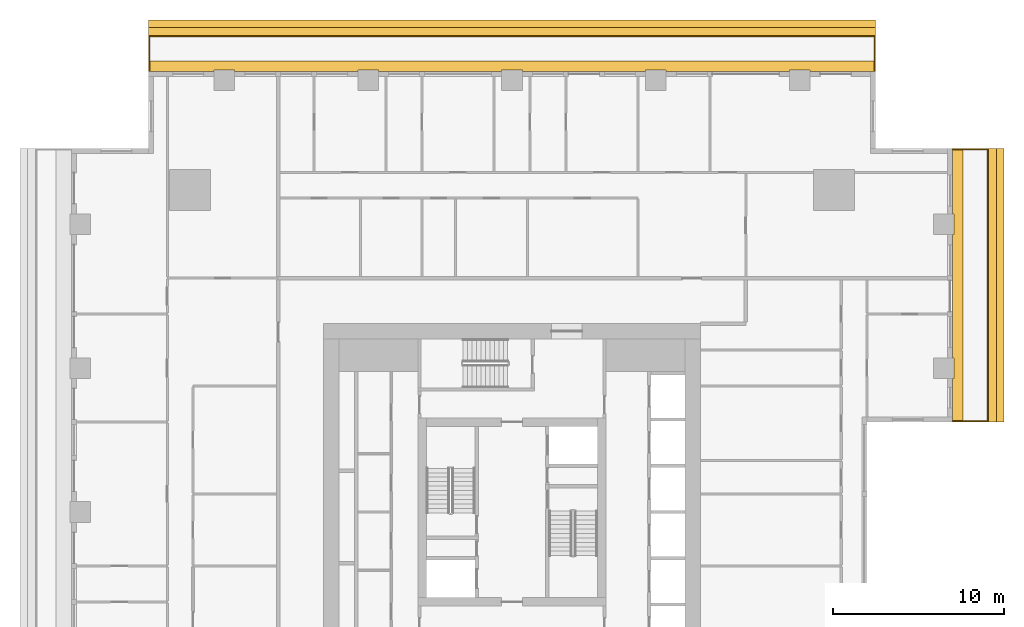
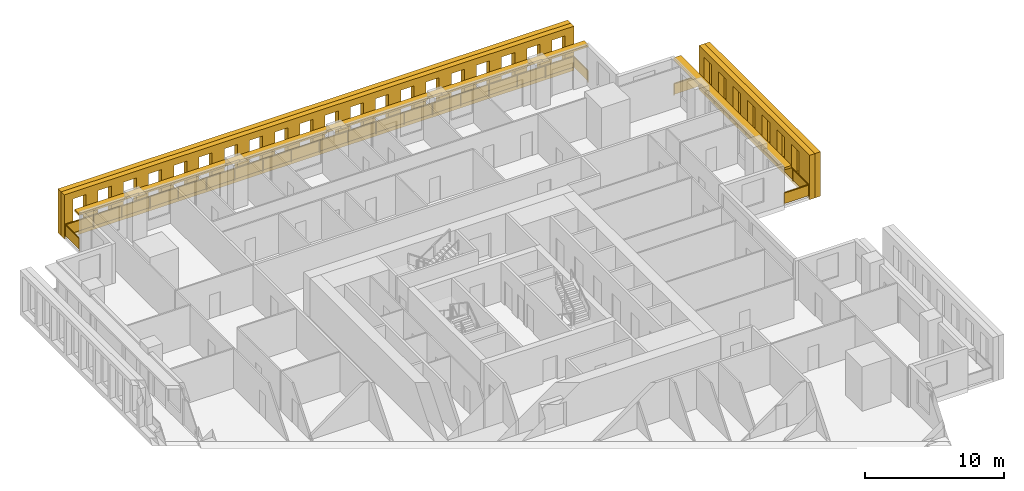
# One storey, part 15 of 15: 6 shading devices, 2 railings.
"""IFC4 building model written with IfcOpenShell, lengths in metres."""

from ifc_helpers import new_model, si_unit, direction, frame, origin, origin_2d, place, context, subcontext, project, spatial, polyline, rectangle, outline, extrude, material, layer, layer_set, type_object, element, save


model = new_model("IFC4")

# Units and contexts
model_context = context("Model", 3, precision=1e-05, world=origin(), true_north=direction((0.0, 1.0)))
body_context = subcontext(model_context, "Body", "Model", "MODEL_VIEW")
ifc_project = project(units=[si_unit("LENGTHUNIT", "METRE"), si_unit("AREAUNIT", "SQUARE_METRE"), si_unit("VOLUMEUNIT", "CUBIC_METRE"), si_unit("PLANEANGLEUNIT", "RADIAN"), si_unit("MASSUNIT", "GRAM", prefix="KILO")], contexts=[model_context])

# Site, building, storey
site_placement = place(None, origin())
site = spatial("IfcSite", under=ifc_project, at=site_placement, CompositionType="ELEMENT")
building_placement = place(site_placement, origin())
building = spatial("IfcBuilding", under=site, at=building_placement, Name="Khepri Terraces", CompositionType="ELEMENT")
storey_placement = place(building_placement, frame((0.0, 0.0, 200.10009765625)))
storey = spatial("IfcBuildingStorey", under=building, at=storey_placement, Name="L47", CompositionType="ELEMENT", Elevation=200.10009765625)

# Railings
ifc_material_1 = material(Name="Stainless steel grade 316", Category="steel")
railing_type = type_object("IfcRailingType", Name="GRD-BAL-1100", PredefinedType="GUARDRAIL", material=ifc_material_1)
railing_1_placement = place(storey_placement, frame((25.719970703125, 5.300048828125, 0.0)))
element("IfcRailing", 1, at=railing_1_placement, inside=storey, type_object=railing_type, Name="Balcony guard L47 E", PredefinedType="GUARDRAIL", context=body_context, shape_type="SweptSolid", body=[
    extrude(rectangle(XDim=0.050048828125, YDim=0.06005859375, at=origin_2d()), frame((0.0, 0.0, 1.070068359375), z_axis=(1.0, 0.0, 0.0), x_axis=(0.0, 1.0, 0.0)), (0.0, 0.0, 1.0), 2.050048828125),
    extrude(rectangle(XDim=2.0, YDim=0.011962890625, at=origin_2d()), frame((1.02490234375, 0.0, 0.10009765625), z_axis=(0.0, 0.0, 1.0), x_axis=(1.0, 0.0, 0.0)), (0.0, 0.0, 1.0), 0.93994140625),
    extrude(rectangle(XDim=0.050048828125, YDim=0.06005859375, at=origin_2d()), frame((2.050048828125, 0.0, 1.070068359375), z_axis=(0.0, 1.0, 0.0), x_axis=(-1.0, 0.0, 0.0)), (0.0, 0.0, 1.0), 15.869873046875),
    extrude(rectangle(XDim=2.217041015625, YDim=0.011962890625, at=origin_2d()), frame((2.050048828125, 1.133544921875, 0.10009765625), z_axis=(0.0, 0.0, 1.0), x_axis=(0.0, 1.0, 0.0)), (0.0, 0.0, 1.0), 0.93994140625),
    extrude(rectangle(XDim=2.217041015625, YDim=0.011962890625, at=origin_2d()), frame((2.050048828125, 3.400634765625, 0.10009765625), z_axis=(0.0, 0.0, 1.0), x_axis=(0.0, 1.0, 0.0)), (0.0, 0.0, 1.0), 0.93994140625),
    extrude(rectangle(XDim=2.217041015625, YDim=0.011962890625, at=origin_2d()), frame((2.050048828125, 5.667724609375, 0.10009765625), z_axis=(0.0, 0.0, 1.0), x_axis=(0.0, 1.0, 0.0)), (0.0, 0.0, 1.0), 0.93994140625),
    extrude(rectangle(XDim=2.217041015625, YDim=0.011962890625, at=origin_2d()), frame((2.050048828125, 7.93505859375, 0.10009765625), z_axis=(0.0, 0.0, 1.0), x_axis=(0.0, 1.0, 0.0)), (0.0, 0.0, 1.0), 0.93994140625),
    extrude(rectangle(XDim=2.217041015625, YDim=0.011962890625, at=origin_2d()), frame((2.050048828125, 10.2021484375, 0.10009765625), z_axis=(0.0, 0.0, 1.0), x_axis=(0.0, 1.0, 0.0)), (0.0, 0.0, 1.0), 0.93994140625),
    extrude(rectangle(XDim=2.217041015625, YDim=0.011962890625, at=origin_2d()), frame((2.050048828125, 12.46923828125, 0.10009765625), z_axis=(0.0, 0.0, 1.0), x_axis=(0.0, 1.0, 0.0)), (0.0, 0.0, 1.0), 0.93994140625),
    extrude(rectangle(XDim=2.217041015625, YDim=0.011962890625, at=origin_2d()), frame((2.050048828125, 14.736328125, 0.10009765625), z_axis=(0.0, 0.0, 1.0), x_axis=(0.0, 1.0, 0.0)), (0.0, 0.0, 1.0), 0.93994140625),
    extrude(rectangle(XDim=0.050048828125, YDim=0.06005859375, at=origin_2d()), frame((2.050048828125, 15.869873046875, 1.070068359375), z_axis=(-1.0, 0.0, 0.0), x_axis=(0.0, -1.0, 0.0)), (0.0, 0.0, 1.0), 2.050048828125),
    extrude(rectangle(XDim=2.0, YDim=0.011962890625, at=origin_2d()), frame((1.02490234375, 15.869873046875, 0.10009765625), z_axis=(0.0, 0.0, 1.0), x_axis=(-1.0, 0.0, 0.0)), (0.0, 0.0, 1.0), 0.93994140625),
    extrude(rectangle(XDim=0.050048828125, YDim=0.050048828125, at=origin_2d()), origin(), (0.0, 0.0, 1.0), 1.0400390625),
    extrude(rectangle(XDim=0.050048828125, YDim=0.050048828125, at=origin_2d()), frame((2.050048828125, 0.0, 0.0)), (0.0, 0.0, 1.0), 1.0400390625),
    extrude(rectangle(XDim=0.050048828125, YDim=0.050048828125, at=origin_2d()), frame((2.050048828125, 2.26708984375, 0.0)), (0.0, 0.0, 1.0), 1.0400390625),
    extrude(rectangle(XDim=0.050048828125, YDim=0.050048828125, at=origin_2d()), frame((2.050048828125, 4.5341796875, 0.0)), (0.0, 0.0, 1.0), 1.0400390625),
    extrude(rectangle(XDim=0.050048828125, YDim=0.050048828125, at=origin_2d()), frame((2.050048828125, 6.80126953125, 0.0)), (0.0, 0.0, 1.0), 1.0400390625),
    extrude(rectangle(XDim=0.050048828125, YDim=0.050048828125, at=origin_2d()), frame((2.050048828125, 9.068603515625, 0.0)), (0.0, 0.0, 1.0), 1.0400390625),
    extrude(rectangle(XDim=0.050048828125, YDim=0.050048828125, at=origin_2d()), frame((2.050048828125, 11.335693359375, 0.0)), (0.0, 0.0, 1.0), 1.0400390625),
    extrude(rectangle(XDim=0.050048828125, YDim=0.050048828125, at=origin_2d()), frame((2.050048828125, 13.602783203125, 0.0)), (0.0, 0.0, 1.0), 1.0400390625),
    extrude(rectangle(XDim=0.050048828125, YDim=0.050048828125, at=origin_2d()), frame((2.050048828125, 15.869873046875, 0.0)), (0.0, 0.0, 1.0), 1.0400390625),
    extrude(rectangle(XDim=0.050048828125, YDim=0.050048828125, at=origin_2d()), frame((0.0, 15.869873046875, 0.0)), (0.0, 0.0, 1.0), 1.0400390625),
])
railing_2_placement = place(storey_placement, frame((21.169921875, 25.719970703125, 0.0)))
element("IfcRailing", 2, at=railing_2_placement, inside=storey, type_object=railing_type, Name="Balcony guard L47 N", PredefinedType="GUARDRAIL", context=body_context, shape_type="SweptSolid", body=[
    extrude(rectangle(XDim=0.050048828125, YDim=0.06005859375, at=origin_2d()), frame((0.0, 0.0, 1.070068359375), z_axis=(0.0, 1.0, 0.0), x_axis=(-1.0, 0.0, 0.0)), (0.0, 0.0, 1.0), 2.050048828125),
    extrude(rectangle(XDim=2.0, YDim=0.011962890625, at=origin_2d()), frame((0.0, 1.02490234375, 0.10009765625), z_axis=(0.0, 0.0, 1.0), x_axis=(0.0, 1.0, 0.0)), (0.0, 0.0, 1.0), 0.93994140625),
    extrude(rectangle(XDim=0.050048828125, YDim=0.06005859375, at=origin_2d()), frame((0.0, 2.050048828125, 1.070068359375), z_axis=(-1.0, 0.0, 0.0), x_axis=(0.0, -1.0, 0.0)), (0.0, 0.0, 1.0), 42.33984375),
    extrude(rectangle(XDim=2.30224609375, YDim=0.011962890625, at=origin_2d()), frame((-1.176025390625, 2.050048828125, 0.10009765625), z_axis=(0.0, 0.0, 1.0), x_axis=(-1.0, 0.0, 0.0)), (0.0, 0.0, 1.0), 0.93994140625),
    extrude(rectangle(XDim=2.30224609375, YDim=0.011962890625, at=origin_2d()), frame((-3.5283203125, 2.050048828125, 0.10009765625), z_axis=(0.0, 0.0, 1.0), x_axis=(-1.0, 0.0, 0.0)), (0.0, 0.0, 1.0), 0.93994140625),
    extrude(rectangle(XDim=2.30224609375, YDim=0.011962890625, at=origin_2d()), frame((-5.880615234375, 2.050048828125, 0.10009765625), z_axis=(0.0, 0.0, 1.0), x_axis=(-1.0, 0.0, 0.0)), (0.0, 0.0, 1.0), 0.93994140625),
    extrude(rectangle(XDim=2.30224609375, YDim=0.011962890625, at=origin_2d()), frame((-8.232666015625, 2.050048828125, 0.10009765625), z_axis=(0.0, 0.0, 1.0), x_axis=(-1.0, 0.0, 0.0)), (0.0, 0.0, 1.0), 0.93994140625),
    extrude(rectangle(XDim=2.30224609375, YDim=0.011962890625, at=origin_2d()), frame((-10.5849609375, 2.050048828125, 0.10009765625), z_axis=(0.0, 0.0, 1.0), x_axis=(-1.0, 0.0, 0.0)), (0.0, 0.0, 1.0), 0.93994140625),
    extrude(rectangle(XDim=2.30224609375, YDim=0.011962890625, at=origin_2d()), frame((-12.937255859375, 2.050048828125, 0.10009765625), z_axis=(0.0, 0.0, 1.0), x_axis=(-1.0, 0.0, 0.0)), (0.0, 0.0, 1.0), 0.93994140625),
    extrude(rectangle(XDim=2.30224609375, YDim=0.011962890625, at=origin_2d()), frame((-15.289306640625, 2.050048828125, 0.10009765625), z_axis=(0.0, 0.0, 1.0), x_axis=(-1.0, 0.0, 0.0)), (0.0, 0.0, 1.0), 0.93994140625),
    extrude(rectangle(XDim=2.30224609375, YDim=0.011962890625, at=origin_2d()), frame((-17.6416015625, 2.050048828125, 0.10009765625), z_axis=(0.0, 0.0, 1.0), x_axis=(-1.0, 0.0, 0.0)), (0.0, 0.0, 1.0), 0.93994140625),
    extrude(rectangle(XDim=2.30224609375, YDim=0.011962890625, at=origin_2d()), frame((-19.993896484375, 2.050048828125, 0.10009765625), z_axis=(0.0, 0.0, 1.0), x_axis=(-1.0, 0.0, 0.0)), (0.0, 0.0, 1.0), 0.93994140625),
    extrude(rectangle(XDim=2.30224609375, YDim=0.011962890625, at=origin_2d()), frame((-22.345947265625, 2.050048828125, 0.10009765625), z_axis=(0.0, 0.0, 1.0), x_axis=(-1.0, 0.0, 0.0)), (0.0, 0.0, 1.0), 0.93994140625),
    extrude(rectangle(XDim=2.30224609375, YDim=0.011962890625, at=origin_2d()), frame((-24.6982421875, 2.050048828125, 0.10009765625), z_axis=(0.0, 0.0, 1.0), x_axis=(-1.0, 0.0, 0.0)), (0.0, 0.0, 1.0), 0.93994140625),
    extrude(rectangle(XDim=2.30224609375, YDim=0.011962890625, at=origin_2d()), frame((-27.050537109375, 2.050048828125, 0.10009765625), z_axis=(0.0, 0.0, 1.0), x_axis=(-1.0, 0.0, 0.0)), (0.0, 0.0, 1.0), 0.93994140625),
    extrude(rectangle(XDim=2.30224609375, YDim=0.011962890625, at=origin_2d()), frame((-29.402587890625, 2.050048828125, 0.10009765625), z_axis=(0.0, 0.0, 1.0), x_axis=(-1.0, 0.0, 0.0)), (0.0, 0.0, 1.0), 0.93994140625),
    extrude(rectangle(XDim=2.30224609375, YDim=0.011962890625, at=origin_2d()), frame((-31.7548828125, 2.050048828125, 0.10009765625), z_axis=(0.0, 0.0, 1.0), x_axis=(-1.0, 0.0, 0.0)), (0.0, 0.0, 1.0), 0.93994140625),
    extrude(rectangle(XDim=2.30224609375, YDim=0.011962890625, at=origin_2d()), frame((-34.107177734375, 2.050048828125, 0.10009765625), z_axis=(0.0, 0.0, 1.0), x_axis=(-1.0, 0.0, 0.0)), (0.0, 0.0, 1.0), 0.93994140625),
    extrude(rectangle(XDim=2.30224609375, YDim=0.011962890625, at=origin_2d()), frame((-36.459228515625, 2.050048828125, 0.10009765625), z_axis=(0.0, 0.0, 1.0), x_axis=(-1.0, 0.0, 0.0)), (0.0, 0.0, 1.0), 0.93994140625),
    extrude(rectangle(XDim=2.30224609375, YDim=0.011962890625, at=origin_2d()), frame((-38.8115234375, 2.050048828125, 0.10009765625), z_axis=(0.0, 0.0, 1.0), x_axis=(-1.0, 0.0, 0.0)), (0.0, 0.0, 1.0), 0.93994140625),
    extrude(rectangle(XDim=2.30224609375, YDim=0.011962890625, at=origin_2d()), frame((-41.163818359375, 2.050048828125, 0.10009765625), z_axis=(0.0, 0.0, 1.0), x_axis=(-1.0, 0.0, 0.0)), (0.0, 0.0, 1.0), 0.93994140625),
    extrude(rectangle(XDim=0.050048828125, YDim=0.06005859375, at=origin_2d()), frame((-42.33984375, 2.050048828125, 1.070068359375), z_axis=(0.0, -1.0, 0.0), x_axis=(1.0, 0.0, 0.0)), (0.0, 0.0, 1.0), 2.050048828125),
    extrude(rectangle(XDim=2.0, YDim=0.011962890625, at=origin_2d()), frame((-42.33984375, 1.02490234375, 0.10009765625), z_axis=(0.0, 0.0, 1.0), x_axis=(0.0, -1.0, 0.0)), (0.0, 0.0, 1.0), 0.93994140625),
    extrude(rectangle(XDim=0.050048828125, YDim=0.050048828125, at=origin_2d()), origin(), (0.0, 0.0, 1.0), 1.0400390625),
    extrude(rectangle(XDim=0.050048828125, YDim=0.050048828125, at=origin_2d()), frame((0.0, 2.050048828125, 0.0)), (0.0, 0.0, 1.0), 1.0400390625),
    extrude(rectangle(XDim=0.050048828125, YDim=0.050048828125, at=origin_2d()), frame((-2.352294921875, 2.050048828125, 0.0)), (0.0, 0.0, 1.0), 1.0400390625),
    extrude(rectangle(XDim=0.050048828125, YDim=0.050048828125, at=origin_2d()), frame((-4.704345703125, 2.050048828125, 0.0)), (0.0, 0.0, 1.0), 1.0400390625),
    extrude(rectangle(XDim=0.050048828125, YDim=0.050048828125, at=origin_2d()), frame((-7.056640625, 2.050048828125, 0.0)), (0.0, 0.0, 1.0), 1.0400390625),
    extrude(rectangle(XDim=0.050048828125, YDim=0.050048828125, at=origin_2d()), frame((-9.408935546875, 2.050048828125, 0.0)), (0.0, 0.0, 1.0), 1.0400390625),
    extrude(rectangle(XDim=0.050048828125, YDim=0.050048828125, at=origin_2d()), frame((-11.760986328125, 2.050048828125, 0.0)), (0.0, 0.0, 1.0), 1.0400390625),
    extrude(rectangle(XDim=0.050048828125, YDim=0.050048828125, at=origin_2d()), frame((-14.11328125, 2.050048828125, 0.0)), (0.0, 0.0, 1.0), 1.0400390625),
    extrude(rectangle(XDim=0.050048828125, YDim=0.050048828125, at=origin_2d()), frame((-16.465576171875, 2.050048828125, 0.0)), (0.0, 0.0, 1.0), 1.0400390625),
    extrude(rectangle(XDim=0.050048828125, YDim=0.050048828125, at=origin_2d()), frame((-18.817626953125, 2.050048828125, 0.0)), (0.0, 0.0, 1.0), 1.0400390625),
    extrude(rectangle(XDim=0.050048828125, YDim=0.050048828125, at=origin_2d()), frame((-21.169921875, 2.050048828125, 0.0)), (0.0, 0.0, 1.0), 1.0400390625),
    extrude(rectangle(XDim=0.050048828125, YDim=0.050048828125, at=origin_2d()), frame((-23.522216796875, 2.050048828125, 0.0)), (0.0, 0.0, 1.0), 1.0400390625),
    extrude(rectangle(XDim=0.050048828125, YDim=0.050048828125, at=origin_2d()), frame((-25.874267578125, 2.050048828125, 0.0)), (0.0, 0.0, 1.0), 1.0400390625),
    extrude(rectangle(XDim=0.050048828125, YDim=0.050048828125, at=origin_2d()), frame((-28.2265625, 2.050048828125, 0.0)), (0.0, 0.0, 1.0), 1.0400390625),
    extrude(rectangle(XDim=0.050048828125, YDim=0.050048828125, at=origin_2d()), frame((-30.578857421875, 2.050048828125, 0.0)), (0.0, 0.0, 1.0), 1.0400390625),
    extrude(rectangle(XDim=0.050048828125, YDim=0.050048828125, at=origin_2d()), frame((-32.930908203125, 2.050048828125, 0.0)), (0.0, 0.0, 1.0), 1.0400390625),
    extrude(rectangle(XDim=0.050048828125, YDim=0.050048828125, at=origin_2d()), frame((-35.283203125, 2.050048828125, 0.0)), (0.0, 0.0, 1.0), 1.0400390625),
    extrude(rectangle(XDim=0.050048828125, YDim=0.050048828125, at=origin_2d()), frame((-37.635498046875, 2.050048828125, 0.0)), (0.0, 0.0, 1.0), 1.0400390625),
    extrude(rectangle(XDim=0.050048828125, YDim=0.050048828125, at=origin_2d()), frame((-39.987548828125, 2.050048828125, 0.0)), (0.0, 0.0, 1.0), 1.0400390625),
    extrude(rectangle(XDim=0.050048828125, YDim=0.050048828125, at=origin_2d()), frame((-42.33984375, 2.050048828125, 0.0)), (0.0, 0.0, 1.0), 1.0400390625),
    extrude(rectangle(XDim=0.050048828125, YDim=0.050048828125, at=origin_2d()), frame((-42.33984375, 0.0, 0.0)), (0.0, 0.0, 1.0), 1.0400390625),
])

# Shading devices
ifc_material_2 = material(Name="Precast concrete C50/60 warm stone", Category="masonry")
shading_device_type_1 = type_object("IfcShadingDeviceType", Name="SCR-CELL-INNER-450", PredefinedType="USERDEFINED", material=ifc_material_2)
shading_device_1_placement = place(storey_placement, frame((27.820068359375, 5.25, -0.25), z_axis=(1.0, 0.0, 0.0), x_axis=(0.0, 1.0, 0.0)))
element("IfcShadingDevice", 3, at=shading_device_1_placement, inside=storey, type_object=shading_device_type_1, Name="Cell screen L47 E in", ObjectType="SCREEN", PredefinedType="USERDEFINED", context=body_context, shape_type="SweptSolid", body=[
    extrude(outline(polyline([(0.0, 0.0), (15.969970703125, 0.0), (15.969970703125, 3.89990234375), (0.0, 3.89990234375), (0.0, 0.0)]), holes=[polyline([(1.556640625, 0.699951171875), (2.643310546875, 0.699951171875), (2.643310546875, 3.300048828125), (1.556640625, 3.300048828125), (1.556640625, 0.699951171875)]), polyline([(3.656494140625, 0.699951171875), (4.743408203125, 0.699951171875), (4.743408203125, 3.300048828125), (3.656494140625, 3.300048828125), (3.656494140625, 0.699951171875)]), polyline([(5.756591796875, 0.699951171875), (6.843505859375, 0.699951171875), (6.843505859375, 3.300048828125), (5.756591796875, 3.300048828125), (5.756591796875, 0.699951171875)]), polyline([(7.856689453125, 0.699951171875), (8.943359375, 0.699951171875), (8.943359375, 3.300048828125), (7.856689453125, 3.300048828125), (7.856689453125, 0.699951171875)]), polyline([(9.95654296875, 0.699951171875), (11.04345703125, 0.699951171875), (11.04345703125, 3.300048828125), (9.95654296875, 3.300048828125), (9.95654296875, 0.699951171875)]), polyline([(12.056640625, 0.699951171875), (13.143310546875, 0.699951171875), (13.143310546875, 3.300048828125), (12.056640625, 3.300048828125), (12.056640625, 0.699951171875)]), polyline([(14.156494140625, 0.699951171875), (15.243408203125, 0.699951171875), (15.243408203125, 3.300048828125), (14.156494140625, 3.300048828125), (14.156494140625, 0.699951171875)])]), origin(), (0.0, 0.0, 1.0), 0.449951171875),
])
shading_device_2_placement = place(storey_placement, frame((21.219970703125, 27.820068359375, -0.25), z_axis=(0.0, 1.0, 0.0), x_axis=(-1.0, 0.0, 0.0)))
element("IfcShadingDevice", 4, at=shading_device_2_placement, inside=storey, type_object=shading_device_type_1, Name="Cell screen L47 N in", ObjectType="SCREEN", PredefinedType="USERDEFINED", context=body_context, shape_type="SweptSolid", body=[
    extrude(outline(polyline([(0.0, 0.0), (42.43994140625, 0.0), (42.43994140625, 3.89990234375), (0.0, 3.89990234375), (0.0, 0.0)]), holes=[polyline([(0.7265625, 0.699951171875), (1.8134765625, 0.699951171875), (1.8134765625, 3.300048828125), (0.7265625, 3.300048828125), (0.7265625, 0.699951171875)]), polyline([(2.82666015625, 0.699951171875), (3.913330078125, 0.699951171875), (3.913330078125, 3.300048828125), (2.82666015625, 3.300048828125), (2.82666015625, 0.699951171875)]), polyline([(4.926513671875, 0.699951171875), (6.013427734375, 0.699951171875), (6.013427734375, 3.300048828125), (4.926513671875, 3.300048828125), (4.926513671875, 0.699951171875)]), polyline([(7.026611328125, 0.699951171875), (8.11328125, 0.699951171875), (8.11328125, 3.300048828125), (7.026611328125, 3.300048828125), (7.026611328125, 0.699951171875)]), polyline([(9.126708984375, 0.699951171875), (10.21337890625, 0.699951171875), (10.21337890625, 3.300048828125), (9.126708984375, 3.300048828125), (9.126708984375, 0.699951171875)]), polyline([(11.2265625, 0.699951171875), (12.3134765625, 0.699951171875), (12.3134765625, 3.300048828125), (11.2265625, 3.300048828125), (11.2265625, 0.699951171875)]), polyline([(13.32666015625, 0.699951171875), (14.413330078125, 0.699951171875), (14.413330078125, 3.300048828125), (13.32666015625, 3.300048828125), (13.32666015625, 0.699951171875)]), polyline([(15.426513671875, 0.699951171875), (16.513427734375, 0.699951171875), (16.513427734375, 3.300048828125), (15.426513671875, 3.300048828125), (15.426513671875, 0.699951171875)]), polyline([(17.526611328125, 0.699951171875), (18.61328125, 0.699951171875), (18.61328125, 3.300048828125), (17.526611328125, 3.300048828125), (17.526611328125, 0.699951171875)]), polyline([(19.626708984375, 0.699951171875), (20.71337890625, 0.699951171875), (20.71337890625, 3.300048828125), (19.626708984375, 3.300048828125), (19.626708984375, 0.699951171875)]), polyline([(21.7265625, 0.699951171875), (22.8134765625, 0.699951171875), (22.8134765625, 3.300048828125), (21.7265625, 3.300048828125), (21.7265625, 0.699951171875)]), polyline([(23.82666015625, 0.699951171875), (24.913330078125, 0.699951171875), (24.913330078125, 3.300048828125), (23.82666015625, 3.300048828125), (23.82666015625, 0.699951171875)]), polyline([(25.926513671875, 0.699951171875), (27.013427734375, 0.699951171875), (27.013427734375, 3.300048828125), (25.926513671875, 3.300048828125), (25.926513671875, 0.699951171875)]), polyline([(28.026611328125, 0.699951171875), (29.11328125, 0.699951171875), (29.11328125, 3.300048828125), (28.026611328125, 3.300048828125), (28.026611328125, 0.699951171875)]), polyline([(30.126708984375, 0.699951171875), (31.21337890625, 0.699951171875), (31.21337890625, 3.300048828125), (30.126708984375, 3.300048828125), (30.126708984375, 0.699951171875)]), polyline([(32.2265625, 0.699951171875), (33.3134765625, 0.699951171875), (33.3134765625, 3.300048828125), (32.2265625, 3.300048828125), (32.2265625, 0.699951171875)]), polyline([(34.32666015625, 0.699951171875), (35.413330078125, 0.699951171875), (35.413330078125, 3.300048828125), (34.32666015625, 3.300048828125), (34.32666015625, 0.699951171875)]), polyline([(36.426513671875, 0.699951171875), (37.513427734375, 0.699951171875), (37.513427734375, 3.300048828125), (36.426513671875, 3.300048828125), (36.426513671875, 0.699951171875)]), polyline([(38.526611328125, 0.699951171875), (39.61328125, 0.699951171875), (39.61328125, 3.300048828125), (38.526611328125, 3.300048828125), (38.526611328125, 0.699951171875)]), polyline([(40.626708984375, 0.699951171875), (41.71337890625, 0.699951171875), (41.71337890625, 3.300048828125), (40.626708984375, 3.300048828125), (40.626708984375, 0.699951171875)])]), origin(), (0.0, 0.0, 1.0), 0.449951171875),
])
shading_device_type_2 = type_object("IfcShadingDeviceType", Name="SCR-CELL-OUTER-450", PredefinedType="USERDEFINED", material=ifc_material_2)
shading_device_3_placement = place(storey_placement, frame((28.27001953125, 5.25, -0.25), z_axis=(1.0, 0.0, 0.0), x_axis=(0.0, 1.0, 0.0)))
element("IfcShadingDevice", 5, at=shading_device_3_placement, inside=storey, type_object=shading_device_type_2, Name="Cell screen L47 E out", ObjectType="SCREEN", PredefinedType="USERDEFINED", context=body_context, shape_type="SweptSolid", body=[
    extrude(outline(polyline([(0.0, 0.0), (15.969970703125, 0.0), (15.969970703125, 3.89990234375), (0.0, 3.89990234375), (0.0, 0.0)]), holes=[polyline([(1.20654296875, 0.449951171875), (2.993408203125, 0.449951171875), (2.993408203125, 3.550048828125), (1.20654296875, 3.550048828125), (1.20654296875, 0.449951171875)]), polyline([(3.306640625, 0.449951171875), (5.093505859375, 0.449951171875), (5.093505859375, 3.550048828125), (3.306640625, 3.550048828125), (3.306640625, 0.449951171875)]), polyline([(5.406494140625, 0.449951171875), (7.193359375, 0.449951171875), (7.193359375, 3.550048828125), (5.406494140625, 3.550048828125), (5.406494140625, 0.449951171875)]), polyline([(7.506591796875, 0.449951171875), (9.29345703125, 0.449951171875), (9.29345703125, 3.550048828125), (7.506591796875, 3.550048828125), (7.506591796875, 0.449951171875)]), polyline([(9.606689453125, 0.449951171875), (11.393310546875, 0.449951171875), (11.393310546875, 3.550048828125), (9.606689453125, 3.550048828125), (9.606689453125, 0.449951171875)]), polyline([(11.70654296875, 0.449951171875), (13.493408203125, 0.449951171875), (13.493408203125, 3.550048828125), (11.70654296875, 3.550048828125), (11.70654296875, 0.449951171875)]), polyline([(13.806640625, 0.449951171875), (15.593505859375, 0.449951171875), (15.593505859375, 3.550048828125), (13.806640625, 3.550048828125), (13.806640625, 0.449951171875)])]), origin(), (0.0, 0.0, 1.0), 0.449951171875),
])
shading_device_4_placement = place(storey_placement, frame((21.219970703125, 28.27001953125, -0.25), z_axis=(0.0, 1.0, 0.0), x_axis=(-1.0, 0.0, 0.0)))
element("IfcShadingDevice", 6, at=shading_device_4_placement, inside=storey, type_object=shading_device_type_2, Name="Cell screen L47 N out", ObjectType="SCREEN", PredefinedType="USERDEFINED", context=body_context, shape_type="SweptSolid", body=[
    extrude(outline(polyline([(0.0, 0.0), (42.43994140625, 0.0), (42.43994140625, 3.89990234375), (0.0, 3.89990234375), (0.0, 0.0)]), holes=[polyline([(0.376708984375, 0.449951171875), (2.163330078125, 0.449951171875), (2.163330078125, 3.550048828125), (0.376708984375, 3.550048828125), (0.376708984375, 0.449951171875)]), polyline([(2.4765625, 0.449951171875), (4.263427734375, 0.449951171875), (4.263427734375, 3.550048828125), (2.4765625, 3.550048828125), (2.4765625, 0.449951171875)]), polyline([(4.57666015625, 0.449951171875), (6.36328125, 0.449951171875), (6.36328125, 3.550048828125), (4.57666015625, 3.550048828125), (4.57666015625, 0.449951171875)]), polyline([(6.676513671875, 0.449951171875), (8.46337890625, 0.449951171875), (8.46337890625, 3.550048828125), (6.676513671875, 3.550048828125), (6.676513671875, 0.449951171875)]), polyline([(8.776611328125, 0.449951171875), (10.5634765625, 0.449951171875), (10.5634765625, 3.550048828125), (8.776611328125, 3.550048828125), (8.776611328125, 0.449951171875)]), polyline([(10.876708984375, 0.449951171875), (12.663330078125, 0.449951171875), (12.663330078125, 3.550048828125), (10.876708984375, 3.550048828125), (10.876708984375, 0.449951171875)]), polyline([(12.9765625, 0.449951171875), (14.763427734375, 0.449951171875), (14.763427734375, 3.550048828125), (12.9765625, 3.550048828125), (12.9765625, 0.449951171875)]), polyline([(15.07666015625, 0.449951171875), (16.86328125, 0.449951171875), (16.86328125, 3.550048828125), (15.07666015625, 3.550048828125), (15.07666015625, 0.449951171875)]), polyline([(17.176513671875, 0.449951171875), (18.96337890625, 0.449951171875), (18.96337890625, 3.550048828125), (17.176513671875, 3.550048828125), (17.176513671875, 0.449951171875)]), polyline([(19.276611328125, 0.449951171875), (21.0634765625, 0.449951171875), (21.0634765625, 3.550048828125), (19.276611328125, 3.550048828125), (19.276611328125, 0.449951171875)]), polyline([(21.376708984375, 0.449951171875), (23.163330078125, 0.449951171875), (23.163330078125, 3.550048828125), (21.376708984375, 3.550048828125), (21.376708984375, 0.449951171875)]), polyline([(23.4765625, 0.449951171875), (25.263427734375, 0.449951171875), (25.263427734375, 3.550048828125), (23.4765625, 3.550048828125), (23.4765625, 0.449951171875)]), polyline([(25.57666015625, 0.449951171875), (27.36328125, 0.449951171875), (27.36328125, 3.550048828125), (25.57666015625, 3.550048828125), (25.57666015625, 0.449951171875)]), polyline([(27.676513671875, 0.449951171875), (29.46337890625, 0.449951171875), (29.46337890625, 3.550048828125), (27.676513671875, 3.550048828125), (27.676513671875, 0.449951171875)]), polyline([(29.776611328125, 0.449951171875), (31.5634765625, 0.449951171875), (31.5634765625, 3.550048828125), (29.776611328125, 3.550048828125), (29.776611328125, 0.449951171875)]), polyline([(31.876708984375, 0.449951171875), (33.663330078125, 0.449951171875), (33.663330078125, 3.550048828125), (31.876708984375, 3.550048828125), (31.876708984375, 0.449951171875)]), polyline([(33.9765625, 0.449951171875), (35.763427734375, 0.449951171875), (35.763427734375, 3.550048828125), (33.9765625, 3.550048828125), (33.9765625, 0.449951171875)]), polyline([(36.07666015625, 0.449951171875), (37.86328125, 0.449951171875), (37.86328125, 3.550048828125), (36.07666015625, 3.550048828125), (36.07666015625, 0.449951171875)]), polyline([(38.176513671875, 0.449951171875), (39.96337890625, 0.449951171875), (39.96337890625, 3.550048828125), (38.176513671875, 3.550048828125), (38.176513671875, 0.449951171875)]), polyline([(40.276611328125, 0.449951171875), (42.0634765625, 0.449951171875), (42.0634765625, 3.550048828125), (40.276611328125, 3.550048828125), (40.276611328125, 0.449951171875)])]), origin(), (0.0, 0.0, 1.0), 0.449951171875),
])
ifc_layer = layer(ifc_material_2, 0.199951171875, Name="Precast concrete C50/60 warm stone", Category="masonry")
ifc_layer_set = layer_set([ifc_layer], Name="Precast concrete C50/60 warm stone")
shading_device_type_3 = type_object("IfcShadingDeviceType", Name="SSH-BAND-STONE-200-N", PredefinedType="USERDEFINED", material=ifc_layer_set)
shading_device_5_placement = place(storey_placement, frame((0.0, 0.0, 3.099853515625)))
element("IfcShadingDevice", 7, at=shading_device_5_placement, inside=storey, type_object=shading_device_type_3, Name="Sunshade band L47 E", ObjectType="SUNSHADE", PredefinedType="USERDEFINED", context=body_context, shape_type="SweptSolid", body=[
    extrude(outline(polyline([(25.719970703125, 7.800048828125), (25.719970703125, 5.25), (26.320068359375, 5.25), (26.320068359375, 21.219970703125), (25.719970703125, 21.219970703125), (25.719970703125, 17.39990234375), (25.800048828125, 17.39990234375), (25.800048828125, 16.199951171875), (25.719970703125, 16.199951171875), (25.719970703125, 9.0), (25.800048828125, 9.0), (25.800048828125, 7.800048828125), (25.719970703125, 7.800048828125)])), origin(), (0.0, 0.0, 1.0), 0.199951171875),
])
shading_device_6_placement = place(storey_placement, frame((0.0, 0.0, 3.099853515625)))
element("IfcShadingDevice", 8, at=shading_device_6_placement, inside=storey, type_object=shading_device_type_3, Name="Sunshade band L47 N", ObjectType="SUNSHADE", PredefinedType="USERDEFINED", context=body_context, shape_type="SweptSolid", body=[
    extrude(outline(polyline([(17.39990234375, 25.719970703125), (21.219970703125, 25.719970703125), (21.219970703125, 26.320068359375), (-21.219970703125, 26.320068359375), (-21.219970703125, 25.719970703125), (-17.39990234375, 25.719970703125), (-17.39990234375, 25.800048828125), (-16.199951171875, 25.800048828125), (-16.199951171875, 25.719970703125), (-9.0, 25.719970703125), (-9.0, 25.800048828125), (-7.800048828125, 25.800048828125), (-7.800048828125, 25.719970703125), (-0.60009765625, 25.719970703125), (-0.60009765625, 25.800048828125), (0.60009765625, 25.800048828125), (0.60009765625, 25.719970703125), (7.800048828125, 25.719970703125), (7.800048828125, 25.800048828125), (9.0, 25.800048828125), (9.0, 25.719970703125), (16.199951171875, 25.719970703125), (16.199951171875, 25.800048828125), (17.39990234375, 25.800048828125), (17.39990234375, 25.719970703125)])), origin(), (0.0, 0.0, 1.0), 0.199951171875),
])

save(model, "model.ifc")
